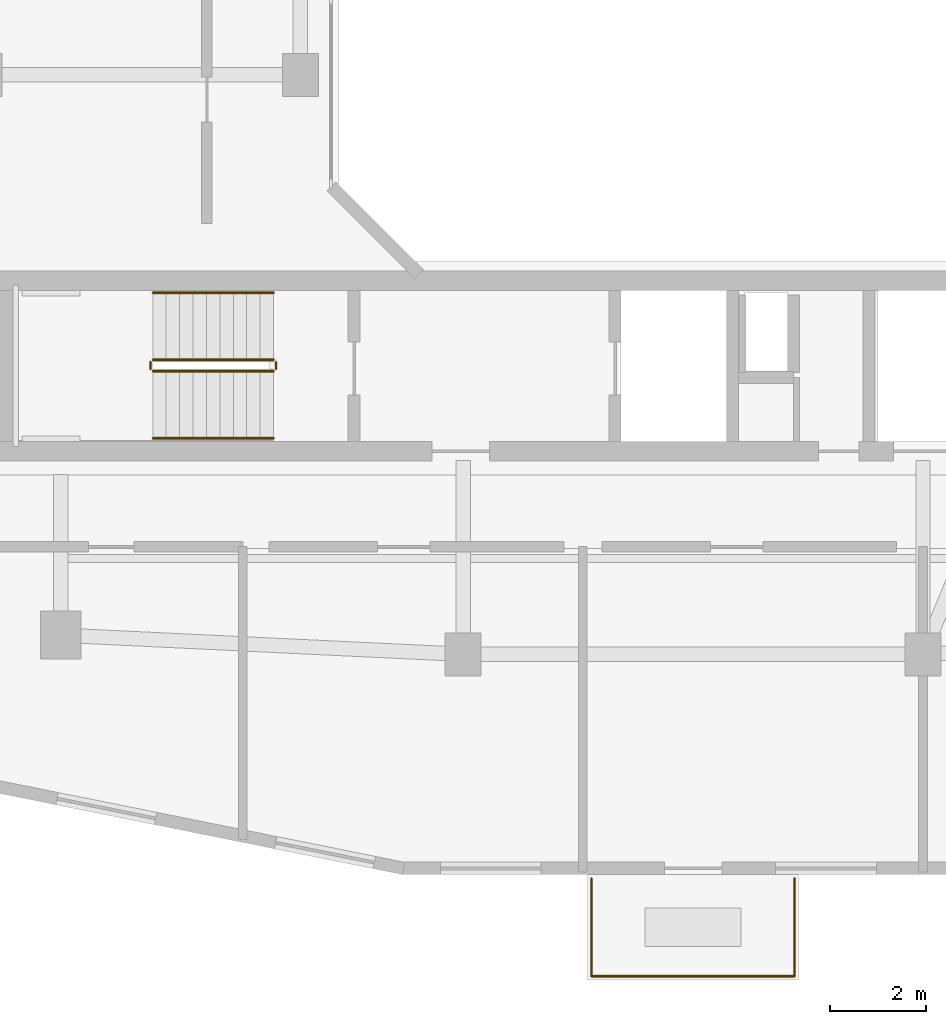
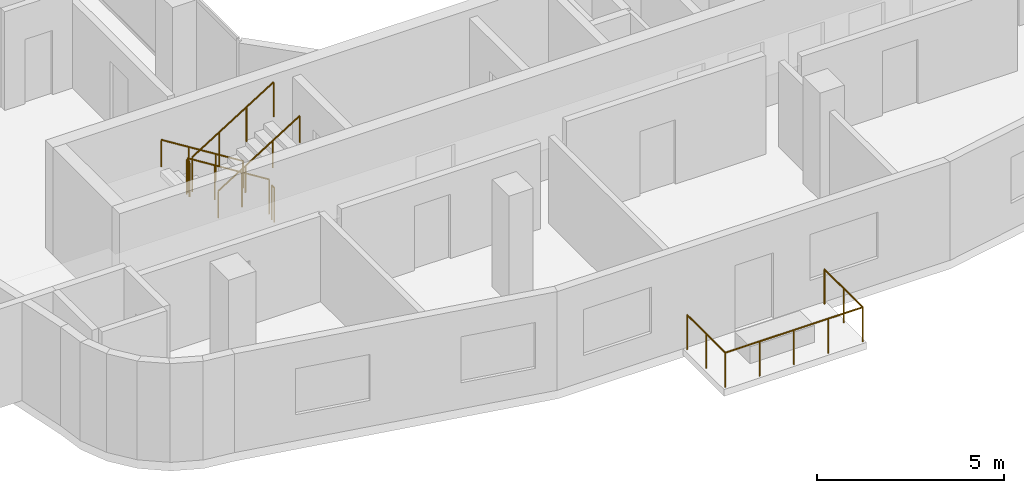
# One storey, part 9 of 12: 9 railings.
"""IFC4 building model written with IfcOpenShell, lengths in metres."""

from ifc_helpers import new_model, si_unit, derived_unit, direction, frame, origin, origin_2d, place, context, subcontext, project, spatial, circle, extrude, material, type_object, element, save


model = new_model("IFC4")

# Units and contexts
model_context = context("Model", 3, precision=1e-05, world=origin(), true_north=direction((0.0, 1.0)))
body_context = subcontext(model_context, "Body", "Model", "MODEL_VIEW")
ifc_project = project(units=[si_unit("LENGTHUNIT", "METRE"), si_unit("AREAUNIT", "SQUARE_METRE"), si_unit("VOLUMEUNIT", "CUBIC_METRE"), si_unit("PLANEANGLEUNIT", "RADIAN"), si_unit("MASSUNIT", "GRAM", prefix="KILO"), derived_unit("THERMALTRANSMITTANCEUNIT", [(si_unit("POWERUNIT", "WATT"), 1), (si_unit("LENGTHUNIT", "METRE"), -2), (si_unit("THERMODYNAMICTEMPERATUREUNIT", "KELVIN"), -1)])], contexts=[model_context])

# Site, building, storey
site_placement = place(None, origin())
site = spatial("IfcSite", under=ifc_project, at=site_placement, CompositionType="ELEMENT")
building_placement = place(site_placement, origin())
building = spatial("IfcBuilding", under=site, at=building_placement, Name="Kivonza Crest Hotel", CompositionType="ELEMENT")
storey_placement = place(building_placement, frame((0.0, 0.0, 166.0)))
storey = spatial("IfcBuildingStorey", under=building, at=storey_placement, Name="L45", CompositionType="ELEMENT", Elevation=166.0)

# Railings
ifc_material_1 = material(Name="Brushed stainless steel handrail", Category="steel")
railing_type_1 = type_object("IfcRailingType", Name="RL-HAND-900", PredefinedType="HANDRAIL", material=ifc_material_1)
railing_1_placement = place(storey_placement, frame((12.239990234375, 16.949951171875, 0.175048828125)))
element("IfcRailing", 1, at=railing_1_placement, inside=storey, type_object=railing_type_1, Name="L45 ST-T1-S stair handrail 1", PredefinedType="HANDRAIL", context=body_context, shape_type="SweptSolid", body=[
    extrude(circle(Radius=0.02392578125, at=origin_2d()), frame((0.0, 0.0, 0.8759765625), z_axis=(-0.848007534815, 0.0, 0.529984170421), x_axis=(0.0, -1.0, 0.0)), (0.0, 0.0, 1.0), 2.9716796875),
    extrude(circle(Radius=0.02099609375, at=origin_2d()), origin(), (0.0, 0.0, 1.0), 0.851806640625),
    extrude(circle(Radius=0.02099609375, at=origin_2d()), frame((-0.840087890625, 0.0, 0.52490234375)), (0.0, 0.0, 1.0), 0.851806640625),
    extrude(circle(Radius=0.02099609375, at=origin_2d()), frame((-1.679931640625, 0.0, 1.050048828125)), (0.0, 0.0, 1.0), 0.851806640625),
    extrude(circle(Radius=0.02099609375, at=origin_2d()), frame((-2.52001953125, 0.0, 1.574951171875)), (0.0, 0.0, 1.0), 0.851806640625),
])
railing_2_placement = place(storey_placement, frame((9.719970703125, 13.909912109375, 1.925048828125)))
element("IfcRailing", 2, at=railing_2_placement, inside=storey, type_object=railing_type_1, Name="L45 ST-T1-S stair handrail 2", PredefinedType="HANDRAIL", context=body_context, shape_type="SweptSolid", body=[
    extrude(circle(Radius=0.02392578125, at=origin_2d()), frame((0.0, 0.0, 0.8759765625), z_axis=(0.848007534815, 0.0, 0.529984170421), x_axis=(0.0, 1.0, 0.0)), (0.0, 0.0, 1.0), 2.9716796875),
    extrude(circle(Radius=0.02099609375, at=origin_2d()), origin(), (0.0, 0.0, 1.0), 0.851806640625),
    extrude(circle(Radius=0.02099609375, at=origin_2d()), frame((0.840087890625, 0.0, 0.52490234375)), (0.0, 0.0, 1.0), 0.851806640625),
    extrude(circle(Radius=0.02099609375, at=origin_2d()), frame((1.679931640625, 0.0, 1.050048828125)), (0.0, 0.0, 1.0), 0.851806640625),
    extrude(circle(Radius=0.02099609375, at=origin_2d()), frame((2.52001953125, 0.0, 1.574951171875)), (0.0, 0.0, 1.0), 0.851806640625),
])
ifc_material_2 = material(Name="Painted steel balustrade", Category="steel")
railing_type_2 = type_object("IfcRailingType", Name="RL-STAIR-1150", PredefinedType="BALUSTRADE", material=ifc_material_2)
railing_3_placement = place(storey_placement, frame((12.239990234375, 15.550048828125, 0.175048828125)))
element("IfcRailing", 3, at=railing_3_placement, inside=storey, type_object=railing_type_2, Name="L45 ST-T1-S stair guard 1", PredefinedType="BALUSTRADE", context=body_context, shape_type="SweptSolid", body=[
    extrude(circle(Radius=0.02392578125, at=origin_2d()), frame((0.0, 0.0, 1.1259765625), z_axis=(-0.848007534815, 0.0, 0.529984170421), x_axis=(0.0, -1.0, 0.0)), (0.0, 0.0, 1.0), 2.9716796875),
    extrude(circle(Radius=0.02099609375, at=origin_2d()), origin(), (0.0, 0.0, 1.0), 1.101806640625),
    extrude(circle(Radius=0.02099609375, at=origin_2d()), frame((-0.840087890625, 0.0, 0.52490234375)), (0.0, 0.0, 1.0), 1.101806640625),
    extrude(circle(Radius=0.02099609375, at=origin_2d()), frame((-1.679931640625, 0.0, 1.050048828125)), (0.0, 0.0, 1.0), 1.101806640625),
    extrude(circle(Radius=0.02099609375, at=origin_2d()), frame((-2.52001953125, 0.0, 1.574951171875)), (0.0, 0.0, 1.0), 1.101806640625),
])
railing_4_placement = place(storey_placement, frame((9.669921875, 15.5, 1.75)))
element("IfcRailing", 4, at=railing_4_placement, inside=storey, type_object=railing_type_2, Name="L45 ST-T1-S stair guard 2", PredefinedType="BALUSTRADE", context=body_context, shape_type="SweptSolid", body=[
    extrude(circle(Radius=0.02392578125, at=origin_2d()), frame((0.0, 0.0, 1.1259765625), z_axis=(0.0, -1.0, 0.0), x_axis=(1.0, 0.0, 0.0)), (0.0, 0.0, 1.0), 0.139892578125),
    extrude(circle(Radius=0.02099609375, at=origin_2d()), origin(), (0.0, 0.0, 1.0), 1.101806640625),
    extrude(circle(Radius=0.02099609375, at=origin_2d()), frame((0.0, -0.139892578125, 0.0)), (0.0, 0.0, 1.0), 1.101806640625),
])
railing_5_placement = place(storey_placement, frame((9.719970703125, 15.31005859375, 1.925048828125)))
element("IfcRailing", 5, at=railing_5_placement, inside=storey, type_object=railing_type_2, Name="L45 ST-T1-S stair guard 3", PredefinedType="BALUSTRADE", context=body_context, shape_type="SweptSolid", body=[
    extrude(circle(Radius=0.02392578125, at=origin_2d()), frame((0.0, 0.0, 1.1259765625), z_axis=(0.848007534815, 0.0, 0.529984170421), x_axis=(0.0, 1.0, 0.0)), (0.0, 0.0, 1.0), 2.9716796875),
    extrude(circle(Radius=0.02099609375, at=origin_2d()), origin(), (0.0, 0.0, 1.0), 1.101806640625),
    extrude(circle(Radius=0.02099609375, at=origin_2d()), frame((0.840087890625, 0.0, 0.52490234375)), (0.0, 0.0, 1.0), 1.101806640625),
    extrude(circle(Radius=0.02099609375, at=origin_2d()), frame((1.679931640625, 0.0, 1.050048828125)), (0.0, 0.0, 1.0), 1.101806640625),
    extrude(circle(Radius=0.02099609375, at=origin_2d()), frame((2.52001953125, 0.0, 1.574951171875)), (0.0, 0.0, 1.0), 1.101806640625),
])
railing_6_placement = place(storey_placement, frame((12.2900390625, 15.5, 0.0)))
element("IfcRailing", 6, at=railing_6_placement, inside=storey, type_object=railing_type_2, Name="L45 ST-T1-S stair guard 4", PredefinedType="BALUSTRADE", context=body_context, shape_type="SweptSolid", body=[
    extrude(circle(Radius=0.02392578125, at=origin_2d()), frame((0.0, 0.0, 1.1259765625), z_axis=(0.0, -1.0, 0.0), x_axis=(1.0, 0.0, 0.0)), (0.0, 0.0, 1.0), 0.139892578125),
    extrude(circle(Radius=0.02099609375, at=origin_2d()), origin(), (0.0, 0.0, 1.0), 1.101806640625),
    extrude(circle(Radius=0.02099609375, at=origin_2d()), frame((0.0, -0.139892578125, 0.0)), (0.0, 0.0, 1.0), 1.101806640625),
])
ifc_material_3 = material(Name="Laminated glass and stainless steel balustrade", Category="steel")
railing_type_3 = type_object("IfcRailingType", Name="RL-TERR-1150", PredefinedType="BALUSTRADE", material=ifc_material_3)
railing_7_placement = place(storey_placement, frame((18.8798828125, 2.679931640625, 0.0)))
element("IfcRailing", 7, at=railing_7_placement, inside=storey, type_object=railing_type_3, Name="L45 T1-L45-SG-SW perimeter safety balustrade 1", PredefinedType="BALUSTRADE", context=body_context, shape_type="SweptSolid", body=[
    extrude(circle(Radius=0.02392578125, at=origin_2d()), frame((0.0, 0.0, 1.1259765625), z_axis=(0.0, 1.0, 0.0), x_axis=(-1.0, 0.0, 0.0)), (0.0, 0.0, 1.0), 2.0400390625),
    extrude(circle(Radius=0.02099609375, at=origin_2d()), origin(), (0.0, 0.0, 1.0), 1.101806640625),
    extrude(circle(Radius=0.02099609375, at=origin_2d()), frame((0.0, 1.02001953125, 0.0)), (0.0, 0.0, 1.0), 1.101806640625),
    extrude(circle(Radius=0.02099609375, at=origin_2d()), frame((0.0, 2.0400390625, 0.0)), (0.0, 0.0, 1.0), 1.101806640625),
])
railing_8_placement = place(storey_placement, frame((23.1201171875, 4.719970703125, 0.0)))
element("IfcRailing", 8, at=railing_8_placement, inside=storey, type_object=railing_type_3, Name="L45 T1-L45-SG-SW perimeter safety balustrade 2", PredefinedType="BALUSTRADE", context=body_context, shape_type="SweptSolid", body=[
    extrude(circle(Radius=0.02392578125, at=origin_2d()), frame((0.0, 0.0, 1.1259765625), z_axis=(0.0, -1.0, 0.0), x_axis=(1.0, 0.0, 0.0)), (0.0, 0.0, 1.0), 2.0400390625),
    extrude(circle(Radius=0.02099609375, at=origin_2d()), origin(), (0.0, 0.0, 1.0), 1.101806640625),
    extrude(circle(Radius=0.02099609375, at=origin_2d()), frame((0.0, -1.02001953125, 0.0)), (0.0, 0.0, 1.0), 1.101806640625),
    extrude(circle(Radius=0.02099609375, at=origin_2d()), frame((0.0, -2.0400390625, 0.0)), (0.0, 0.0, 1.0), 1.101806640625),
])
railing_9_placement = place(storey_placement, frame((23.1201171875, 2.679931640625, 0.0)))
element("IfcRailing", 9, at=railing_9_placement, inside=storey, type_object=railing_type_3, Name="L45 T1-L45-SG-SW perimeter safety balustrade 3", PredefinedType="BALUSTRADE", context=body_context, shape_type="SweptSolid", body=[
    extrude(circle(Radius=0.02392578125, at=origin_2d()), frame((0.0, 0.0, 1.1259765625), z_axis=(-1.0, 0.0, 0.0), x_axis=(0.0, -1.0, 0.0)), (0.0, 0.0, 1.0), 4.240234375),
    extrude(circle(Radius=0.02099609375, at=origin_2d()), origin(), (0.0, 0.0, 1.0), 1.101806640625),
    extrude(circle(Radius=0.02099609375, at=origin_2d()), frame((-1.06005859375, 0.0, 0.0)), (0.0, 0.0, 1.0), 1.101806640625),
    extrude(circle(Radius=0.02099609375, at=origin_2d()), frame((-2.1201171875, 0.0, 0.0)), (0.0, 0.0, 1.0), 1.101806640625),
    extrude(circle(Radius=0.02099609375, at=origin_2d()), frame((-3.18017578125, 0.0, 0.0)), (0.0, 0.0, 1.0), 1.101806640625),
    extrude(circle(Radius=0.02099609375, at=origin_2d()), frame((-4.240234375, 0.0, 0.0)), (0.0, 0.0, 1.0), 1.101806640625),
])

save(model, "model.ifc")
